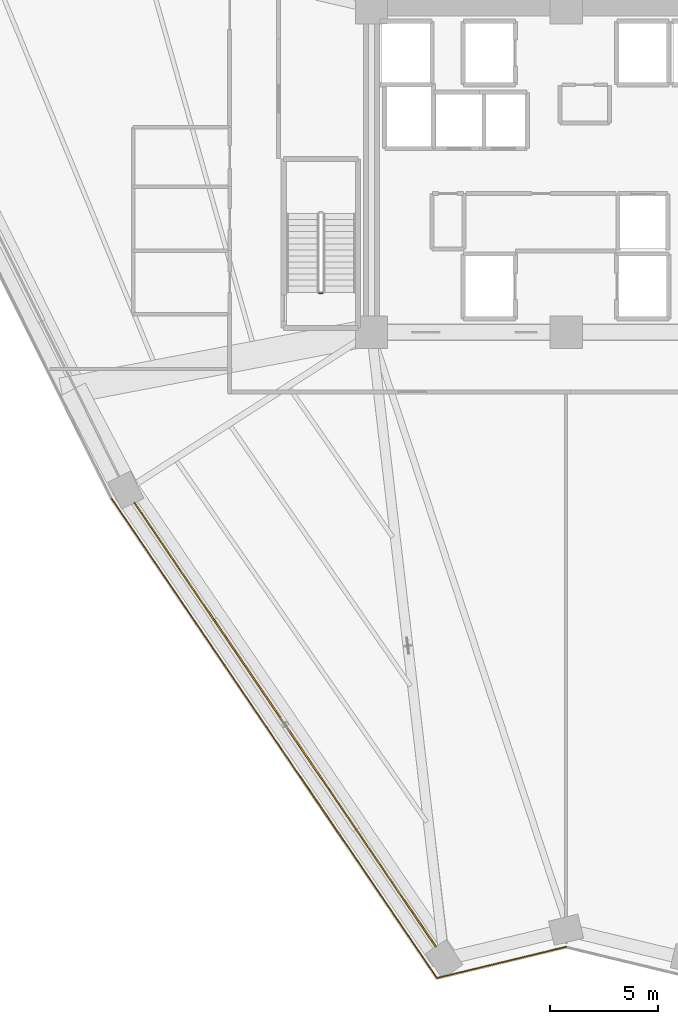
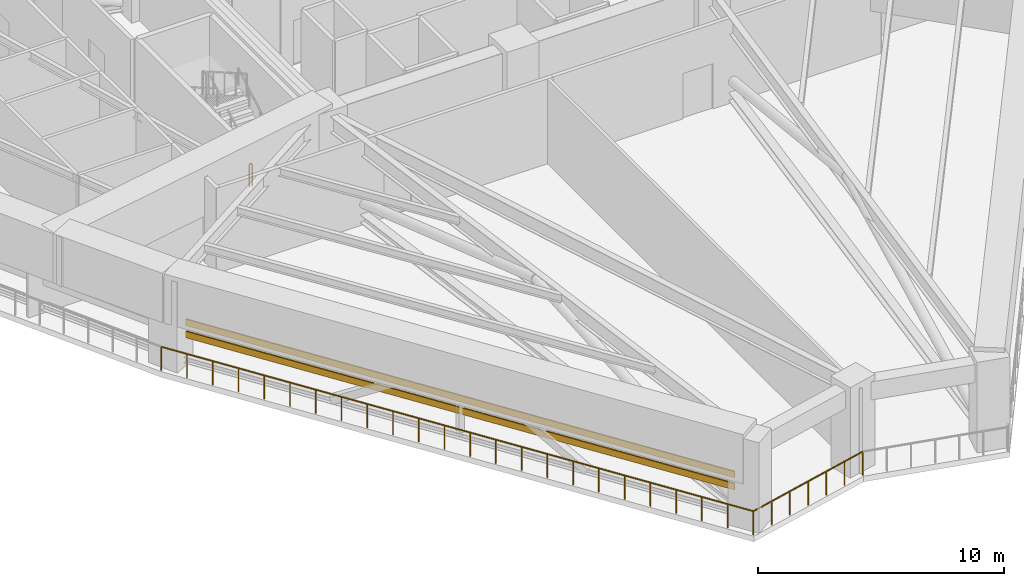
# One storey, part 20 of 27: 3 railings, 2 shading devices.
"""IFC4 building model written with IfcOpenShell, lengths in metres."""

from ifc_helpers import new_model, si_unit, direction, frame, origin, origin_2d, place, context, subcontext, project, spatial, rectangle, extrude, source, transform, mapped, material, material_profile, profile_set, type_object, element, save


model = new_model("IFC4")

# Units and contexts
model_context = context("Model", 3, precision=1e-05, world=origin(), true_north=direction((0.0, 1.0)))
body_context = subcontext(model_context, "Body", "Model", "MODEL_VIEW")
ifc_project = project(units=[si_unit("LENGTHUNIT", "METRE"), si_unit("AREAUNIT", "SQUARE_METRE"), si_unit("VOLUMEUNIT", "CUBIC_METRE"), si_unit("PLANEANGLEUNIT", "RADIAN"), si_unit("MASSUNIT", "GRAM", prefix="KILO")], contexts=[model_context])

# Site, building, storey
site_placement = place(None, origin())
site = spatial("IfcSite", under=ifc_project, at=site_placement, CompositionType="ELEMENT")
building_placement = place(site_placement, origin())
building = spatial("IfcBuilding", under=site, at=building_placement, Name="Liaohun Quay Tower", CompositionType="ELEMENT")
storey_placement = place(building_placement, frame((0.0, 0.0, 185.25)))
storey = spatial("IfcBuildingStorey", under=building, at=storey_placement, Name="L48", CompositionType="ELEMENT", Elevation=185.25)

# Railings
ifc_material_1 = material(Name="Galvanised and powder-coated steel", Category="steel")
railing_type_1 = type_object("IfcRailingType", Name="RLG-GUARD-EXT", PredefinedType="GUARDRAIL", material=ifc_material_1)
railing_1_placement = place(storey_placement, frame((54.02392578125, 16.631103515625, 0.0)))
element("IfcRailing", 1, at=railing_1_placement, inside=storey, type_object=railing_type_1, Name="L48 Open Refuge Band Perimeter Guardrail 01", PredefinedType="GUARDRAIL", context=body_context, shape_type="SweptSolid", body=[
    extrude(rectangle(XDim=0.048095703125, YDim=0.048095703125, at=origin_2d()), frame((0.0, 0.0, 1.17578125), z_axis=(-0.561552214867, 0.827441303041, 0.0), x_axis=(-0.827441303041, -0.561552214867, 0.0)), (0.0, 0.0, 1.0), 26.796875),
    extrude(rectangle(XDim=0.0419921875, YDim=0.0419921875, at=origin_2d()), origin(), (0.0, 0.0, 1.0), 1.15185546875),
    extrude(rectangle(XDim=0.0419921875, YDim=0.0419921875, at=origin_2d()), frame((-0.654296875, 0.964111328125, 0.0)), (0.0, 0.0, 1.0), 1.15185546875),
    extrude(rectangle(XDim=0.0419921875, YDim=0.0419921875, at=origin_2d()), frame((-1.30859375, 1.927978515625, 0.0)), (0.0, 0.0, 1.0), 1.15185546875),
    extrude(rectangle(XDim=0.0419921875, YDim=0.0419921875, at=origin_2d()), frame((-1.962646484375, 2.89208984375, 0.0)), (0.0, 0.0, 1.0), 1.15185546875),
    extrude(rectangle(XDim=0.0419921875, YDim=0.0419921875, at=origin_2d()), frame((-2.616943359375, 3.856201171875, 0.0)), (0.0, 0.0, 1.0), 1.15185546875),
    extrude(rectangle(XDim=0.0419921875, YDim=0.0419921875, at=origin_2d()), frame((-3.271240234375, 4.820068359375, 0.0)), (0.0, 0.0, 1.0), 1.15185546875),
    extrude(rectangle(XDim=0.0419921875, YDim=0.0419921875, at=origin_2d()), frame((-3.925537109375, 5.7841796875, 0.0)), (0.0, 0.0, 1.0), 1.15185546875),
    extrude(rectangle(XDim=0.0419921875, YDim=0.0419921875, at=origin_2d()), frame((-4.579833984375, 6.748291015625, 0.0)), (0.0, 0.0, 1.0), 1.15185546875),
    extrude(rectangle(XDim=0.0419921875, YDim=0.0419921875, at=origin_2d()), frame((-5.234130859375, 7.71240234375, 0.0)), (0.0, 0.0, 1.0), 1.15185546875),
    extrude(rectangle(XDim=0.0419921875, YDim=0.0419921875, at=origin_2d()), frame((-5.88818359375, 8.67626953125, 0.0)), (0.0, 0.0, 1.0), 1.15185546875),
    extrude(rectangle(XDim=0.0419921875, YDim=0.0419921875, at=origin_2d()), frame((-6.54248046875, 9.640380859375, 0.0)), (0.0, 0.0, 1.0), 1.15185546875),
    extrude(rectangle(XDim=0.0419921875, YDim=0.0419921875, at=origin_2d()), frame((-7.19677734375, 10.6044921875, 0.0)), (0.0, 0.0, 1.0), 1.15185546875),
    extrude(rectangle(XDim=0.0419921875, YDim=0.0419921875, at=origin_2d()), frame((-7.85107421875, 11.568359375, 0.0)), (0.0, 0.0, 1.0), 1.15185546875),
    extrude(rectangle(XDim=0.0419921875, YDim=0.0419921875, at=origin_2d()), frame((-8.50537109375, 12.532470703125, 0.0)), (0.0, 0.0, 1.0), 1.15185546875),
    extrude(rectangle(XDim=0.0419921875, YDim=0.0419921875, at=origin_2d()), frame((-9.15966796875, 13.49658203125, 0.0)), (0.0, 0.0, 1.0), 1.15185546875),
    extrude(rectangle(XDim=0.0419921875, YDim=0.0419921875, at=origin_2d()), frame((-9.813720703125, 14.46044921875, 0.0)), (0.0, 0.0, 1.0), 1.15185546875),
    extrude(rectangle(XDim=0.0419921875, YDim=0.0419921875, at=origin_2d()), frame((-10.468017578125, 15.424560546875, 0.0)), (0.0, 0.0, 1.0), 1.15185546875),
    extrude(rectangle(XDim=0.0419921875, YDim=0.0419921875, at=origin_2d()), frame((-11.122314453125, 16.388671875, 0.0)), (0.0, 0.0, 1.0), 1.15185546875),
    extrude(rectangle(XDim=0.0419921875, YDim=0.0419921875, at=origin_2d()), frame((-11.776611328125, 17.352783203125, 0.0)), (0.0, 0.0, 1.0), 1.15185546875),
    extrude(rectangle(XDim=0.0419921875, YDim=0.0419921875, at=origin_2d()), frame((-12.430908203125, 18.316650390625, 0.0)), (0.0, 0.0, 1.0), 1.15185546875),
    extrude(rectangle(XDim=0.0419921875, YDim=0.0419921875, at=origin_2d()), frame((-13.085205078125, 19.28076171875, 0.0)), (0.0, 0.0, 1.0), 1.15185546875),
    extrude(rectangle(XDim=0.0419921875, YDim=0.0419921875, at=origin_2d()), frame((-13.7392578125, 20.244873046875, 0.0)), (0.0, 0.0, 1.0), 1.15185546875),
    extrude(rectangle(XDim=0.0419921875, YDim=0.0419921875, at=origin_2d()), frame((-14.3935546875, 21.208740234375, 0.0)), (0.0, 0.0, 1.0), 1.15185546875),
    extrude(rectangle(XDim=0.0419921875, YDim=0.0419921875, at=origin_2d()), frame((-15.0478515625, 22.1728515625, 0.0)), (0.0, 0.0, 1.0), 1.15185546875),
])
railing_2_placement = place(storey_placement, frame((60.0, 18.073974609375, 0.0)))
element("IfcRailing", 2, at=railing_2_placement, inside=storey, type_object=railing_type_1, Name="L48 Open Refuge Band Perimeter Guardrail 12", PredefinedType="GUARDRAIL", context=body_context, shape_type="SweptSolid", body=[
    extrude(rectangle(XDim=0.048095703125, YDim=0.048095703125, at=origin_2d()), frame((0.0, 0.0, 1.17578125), z_axis=(-0.972068463903, -0.234697467999, 0.0), x_axis=(0.234697467999, -0.972068463903, 0.0)), (0.0, 0.0, 1.0), 6.147705078125),
    extrude(rectangle(XDim=0.0419921875, YDim=0.0419921875, at=origin_2d()), origin(), (0.0, 0.0, 1.0), 1.15185546875),
    extrude(rectangle(XDim=0.0419921875, YDim=0.0419921875, at=origin_2d()), frame((-0.99609375, -0.240478515625, 0.0)), (0.0, 0.0, 1.0), 1.15185546875),
    extrude(rectangle(XDim=0.0419921875, YDim=0.0419921875, at=origin_2d()), frame((-1.991943359375, -0.48095703125, 0.0)), (0.0, 0.0, 1.0), 1.15185546875),
    extrude(rectangle(XDim=0.0419921875, YDim=0.0419921875, at=origin_2d()), frame((-2.988037109375, -0.721435546875, 0.0)), (0.0, 0.0, 1.0), 1.15185546875),
    extrude(rectangle(XDim=0.0419921875, YDim=0.0419921875, at=origin_2d()), frame((-3.984130859375, -0.9619140625, 0.0)), (0.0, 0.0, 1.0), 1.15185546875),
    extrude(rectangle(XDim=0.0419921875, YDim=0.0419921875, at=origin_2d()), frame((-4.97998046875, -1.202392578125, 0.0)), (0.0, 0.0, 1.0), 1.15185546875),
    extrude(rectangle(XDim=0.0419921875, YDim=0.0419921875, at=origin_2d()), frame((-5.97607421875, -1.44287109375, 0.0)), (0.0, 0.0, 1.0), 1.15185546875),
])
ifc_material_2 = material(Name="Painted tubular steel", Category="steel")
railing_type_2 = type_object("IfcRailingType", Name="RLG-GUARD-STR", PredefinedType="GUARDRAIL", material=ifc_material_2)
railing_3_placement = place(storey_placement, frame((48.72998046875, 48.300048828125, 0.0)))
element("IfcRailing", 3, at=railing_3_placement, inside=storey, type_object=railing_type_2, Name="L48 ST-1 stair guard 4", PredefinedType="GUARDRAIL", context=body_context, shape_type="SweptSolid", body=[
    extrude(rectangle(XDim=0.048095703125, YDim=0.048095703125, at=origin_2d()), frame((0.0, 0.0, 1.1259765625), z_axis=(-1.0, 0.0, 0.0), x_axis=(0.0, -1.0, 0.0)), (0.0, 0.0, 1.0), 0.139892578125),
    extrude(rectangle(XDim=0.0419921875, YDim=0.0419921875, at=origin_2d()), origin(), (0.0, 0.0, 1.0), 1.101806640625),
    extrude(rectangle(XDim=0.0419921875, YDim=0.0419921875, at=origin_2d()), frame((-0.139892578125, 0.0, 0.0)), (0.0, 0.0, 1.0), 1.101806640625),
])

# Shading devices
ifc_material_3 = material(Name="Fluorocarbon-coated aluminium", Category="aluminium")
ifc_material_profile = material_profile(ifc_material_3, rectangle(XDim=0.06494140625, YDim=0.320068359375, at=origin_2d()), Name="ALU-LVR-320x65")
ifc_profile_set = profile_set([ifc_material_profile], Name="Fluorocarbon-coated aluminium")
shading_device_type = type_object("IfcShadingDeviceType", Name="SHD-LVR-REF", PredefinedType="USERDEFINED", material=ifc_profile_set)
shared_shape = source(origin(), body_context, "Body", "SweptSolid", [
    extrude(rectangle(XDim=0.06494140625, YDim=0.320068359375, at=origin_2d()), origin(), (0.0, 0.0, 1.0), 24.8330078125),
])
for number, where, z_axis, x_axis, name in (
    (4, (53.97509765625, 18.074951171875, 1.550048828125), (-0.561593975114, 0.827412960447, 0.0), (-0.827412960447, -0.561593975114, 0.0), "L48 Refuge Plant Acoustic Louvre Blade LV-1-01"),
    (5, (53.97509765625, 18.074951171875, 2.14990234375), (-0.561593975114, 0.827412960447, 0.0), (-0.827412960447, -0.561593975114, 0.0), "L48 Refuge Plant Acoustic Louvre Blade LV-1-02"),
):
    element("IfcShadingDevice", number, at=place(storey_placement, frame(where, z_axis=z_axis, x_axis=x_axis)), inside=storey, type_object=shading_device_type, Name=name, ObjectType="LOUVRE", PredefinedType="USERDEFINED", context=body_context, shape_type="MappedRepresentation", body=[
        mapped(shared_shape, transform((0.0, 0.0, 0.0), x_axis=(1.0, 0.0, 0.0), y_axis=(0.0, 1.0, 0.0), z_axis=(0.0, 0.0, 1.0), scale=1.0)),
    ])

save(model, "model.ifc")
